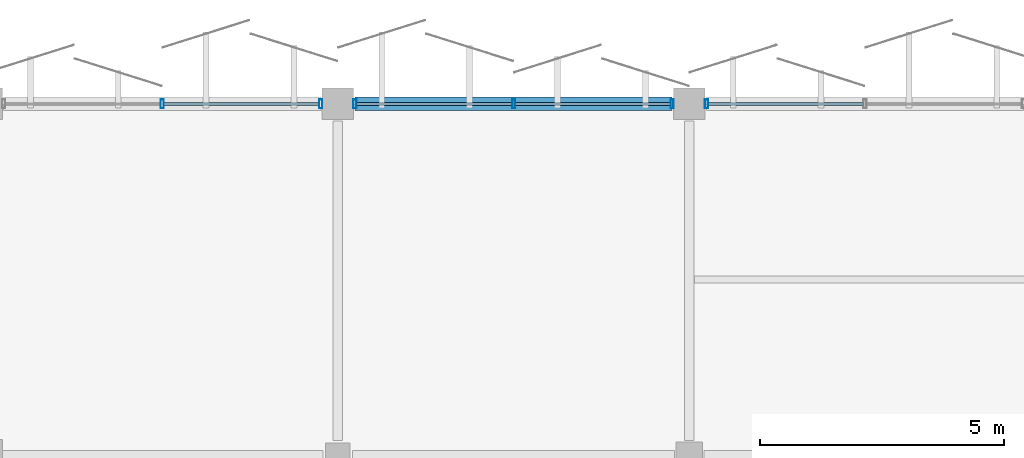
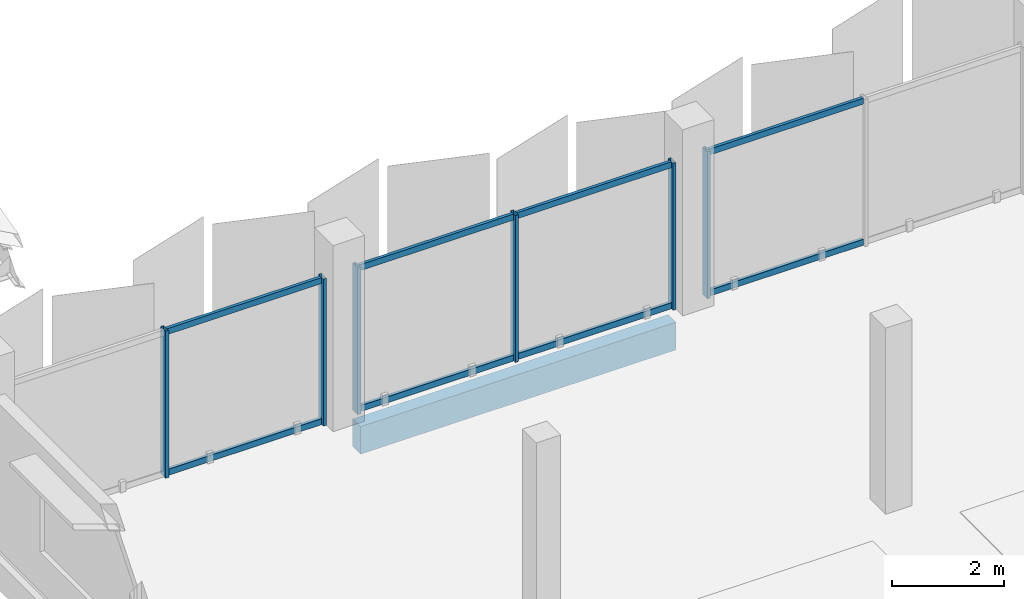
# One storey, part 39 of 108: 14 members, 1 beam, 3 elements without a shape of their own.
"""IFC4 building model written with IfcOpenShell, lengths in metres."""

from ifc_helpers import new_model, si_unit, direction, frame, origin, origin_2d, place, context, subcontext, project, spatial, rectangle, hollow_rectangle, extrude, material, layer, layer_set, material_profile, profile_set, type_object, element, aggregate, save


model = new_model("IFC4")

# Units and contexts
model_context = context("Model", 3, precision=1e-05, world=origin(), true_north=direction((0.0, 1.0)))
body_context = subcontext(model_context, "Body", "Model", "MODEL_VIEW")
ifc_project = project(units=[si_unit("LENGTHUNIT", "METRE"), si_unit("AREAUNIT", "SQUARE_METRE"), si_unit("VOLUMEUNIT", "CUBIC_METRE"), si_unit("PLANEANGLEUNIT", "RADIAN"), si_unit("MASSUNIT", "GRAM", prefix="KILO")], contexts=[model_context])

# Site, building, storey
site_placement = place(None, origin())
site = spatial("IfcSite", under=ifc_project, at=site_placement, CompositionType="ELEMENT")
building_placement = place(site_placement, origin())
building = spatial("IfcBuilding", under=site, at=building_placement, Name="Kangsadwip Square Police Headquarters", CompositionType="ELEMENT")
storey_placement = place(building_placement, frame((0.0, 0.0, 9.449951171875)))
storey = spatial("IfcBuildingStorey", under=building, at=storey_placement, Name="L02", CompositionType="ELEMENT", Elevation=9.449951171875)

# Curtain wall, members
ifc_material_1 = material(Name="Thermally broken anodised aluminium AW-6063-T6", Category="aluminium")
ifc_layer = layer(ifc_material_1, 0.159912109375)
ifc_layer_set = layer_set([ifc_layer], Name="Thermally broken anodised aluminium AW-6063-T6")
curtain_wall_type = type_object("IfcCurtainWallType", Name="UnitisedCw6560x3200", PredefinedType="NOTDEFINED", material=ifc_layer_set)
curtain_wall_1_placement = place(storey_placement, origin())
curtain_wall_1 = element("IfcCurtainWall", 1, at=curtain_wall_1_placement, inside=storey, type_object=curtain_wall_type, Name="Curtain Wall CW-L02-0939-1152", PredefinedType="NOTDEFINED")
ifc_material_2 = material(Name="Thermally broken anodised aluminium AW-6063-T6", Category="aluminium")
ifc_material_profile_1 = material_profile(ifc_material_2, hollow_rectangle(XDim=0.06494140625, YDim=0.179931640625, WallThickness=0.00390625, at=origin_2d()), Name="CWM 180X65X4")
ifc_profile_set_1 = profile_set([ifc_material_profile_1], Name="Thermally broken anodised aluminium AW-6063-T6")
member_type_1 = type_object("IfcMemberType", Name="CwMullion160x65", PredefinedType="MULLION", material=ifc_profile_set_1)
member_1_placement = place(storey_placement, frame((97.199951171875, 115.199951171875, 0.0), z_axis=(0.0, 0.0, 1.0), x_axis=(1.0, 0.0, 0.0)))
member_1 = element("IfcMember", 2, at=member_1_placement, type_object=member_type_1, Name="CW-20 mullion 2", PredefinedType="MULLION", context=body_context, shape_type="SweptSolid", body=[
    extrude(hollow_rectangle(XDim=0.06494140625, YDim=0.179931640625, WallThickness=0.00390625, at=origin_2d()), origin(), (0.0, 0.0, 1.0), 3.199951171875),
])
member_2_placement = place(storey_placement, frame((100.447509765625, 115.199951171875, 0.0), z_axis=(0.0, 0.0, 1.0), x_axis=(1.0, 0.0, 0.0)))
member_2 = element("IfcMember", 3, at=member_2_placement, type_object=member_type_1, Name="CW-20 mullion 3", PredefinedType="MULLION", context=body_context, shape_type="SweptSolid", body=[
    extrude(hollow_rectangle(XDim=0.06494140625, YDim=0.179931640625, WallThickness=0.00390625, at=origin_2d()), origin(), (0.0, 0.0, 1.0), 3.199951171875),
])

curtain_wall_2_placement = place(storey_placement, origin())
curtain_wall_2 = element("IfcCurtainWall", 4, at=curtain_wall_2_placement, inside=storey, type_object=curtain_wall_type, Name="Curtain Wall CW-L02-1011-1152", PredefinedType="NOTDEFINED")
member_3_placement = place(storey_placement, frame((101.152587890625, 115.199951171875, 0.0), z_axis=(0.0, 0.0, 1.0), x_axis=(1.0, 0.0, 0.0)))
member_3 = element("IfcMember", 5, at=member_3_placement, type_object=member_type_1, Name="CW-20 mullion 1", PredefinedType="MULLION", context=body_context, shape_type="SweptSolid", body=[
    extrude(hollow_rectangle(XDim=0.06494140625, YDim=0.179931640625, WallThickness=0.00390625, at=origin_2d()), origin(), (0.0, 0.0, 1.0), 3.199951171875),
])
member_4_placement = place(storey_placement, frame((104.39990234375, 115.199951171875, 0.0), z_axis=(0.0, 0.0, 1.0), x_axis=(1.0, 0.0, 0.0)))
member_4 = element("IfcMember", 6, at=member_4_placement, type_object=member_type_1, Name="CW-20 mullion 2", PredefinedType="MULLION", context=body_context, shape_type="SweptSolid", body=[
    extrude(hollow_rectangle(XDim=0.06494140625, YDim=0.179931640625, WallThickness=0.00390625, at=origin_2d()), origin(), (0.0, 0.0, 1.0), 3.199951171875),
])
member_5_placement = place(storey_placement, frame((107.6474609375, 115.199951171875, 0.0), z_axis=(0.0, 0.0, 1.0), x_axis=(1.0, 0.0, 0.0)))
member_5 = element("IfcMember", 7, at=member_5_placement, type_object=member_type_1, Name="CW-20 mullion 3", PredefinedType="MULLION", context=body_context, shape_type="SweptSolid", body=[
    extrude(hollow_rectangle(XDim=0.06494140625, YDim=0.179931640625, WallThickness=0.00390625, at=origin_2d()), origin(), (0.0, 0.0, 1.0), 3.199951171875),
])

# Curtain wall, member
curtain_wall_3_placement = place(storey_placement, origin())
curtain_wall_3 = element("IfcCurtainWall", 8, at=curtain_wall_3_placement, inside=storey, type_object=curtain_wall_type, Name="Curtain Wall CW-L02-1083-1152", PredefinedType="NOTDEFINED")
member_6_placement = place(storey_placement, frame((108.3525390625, 115.199951171875, 0.0), z_axis=(0.0, 0.0, 1.0), x_axis=(1.0, 0.0, 0.0)))
member_6 = element("IfcMember", 9, at=member_6_placement, type_object=member_type_1, Name="CW-20 mullion 1", PredefinedType="MULLION", context=body_context, shape_type="SweptSolid", body=[
    extrude(hollow_rectangle(XDim=0.06494140625, YDim=0.179931640625, WallThickness=0.00390625, at=origin_2d()), origin(), (0.0, 0.0, 1.0), 3.199951171875),
])

# Member
ifc_material_3 = material(Name="Thermally broken anodised aluminium AW-6063-T6", Category="aluminium")
ifc_material_profile_2 = material_profile(ifc_material_3, hollow_rectangle(XDim=0.06494140625, YDim=0.1298828125, WallThickness=0.00390625, at=origin_2d()), Name="CWT 130X65X4")
ifc_profile_set_2 = profile_set([ifc_material_profile_2], Name="Thermally broken anodised aluminium AW-6063-T6")
member_type_2 = type_object("IfcMemberType", Name="CwTransom140x60", PredefinedType="USERDEFINED", material=ifc_profile_set_2)
member_7_placement = place(storey_placement, frame((97.232421875, 115.199951171875, 0.06494140625), z_axis=(1.0, 0.0, 0.0), x_axis=(0.0, 1.0, 0.0)))
member_7 = element("IfcMember", 10, at=member_7_placement, type_object=member_type_2, Name="CW-20 transom 2.1", ObjectType="TRANSOM", PredefinedType="USERDEFINED", context=body_context, shape_type="SweptSolid", body=[
    extrude(hollow_rectangle(XDim=0.06494140625, YDim=0.1298828125, WallThickness=0.00390625, at=origin_2d()), origin(), (0.0, 0.0, 1.0), 3.1826171875),
])

member_8_placement = place(storey_placement, frame((97.232421875, 115.199951171875, 3.135009765625), z_axis=(1.0, 0.0, 0.0), x_axis=(0.0, 1.0, 0.0)))
member_8 = element("IfcMember", 11, at=member_8_placement, type_object=member_type_2, Name="CW-20 transom 2.2", ObjectType="TRANSOM", PredefinedType="USERDEFINED", context=body_context, shape_type="SweptSolid", body=[
    extrude(hollow_rectangle(XDim=0.06494140625, YDim=0.1298828125, WallThickness=0.00390625, at=origin_2d()), origin(), (0.0, 0.0, 1.0), 3.1826171875),
])

aggregate(curtain_wall_1, [member_1, member_2, member_7, member_8])

member_9_placement = place(storey_placement, frame((101.18505859375, 115.199951171875, 0.06494140625), z_axis=(1.0, 0.0, 0.0), x_axis=(0.0, 1.0, 0.0)))
member_9 = element("IfcMember", 12, at=member_9_placement, type_object=member_type_2, Name="CW-20 transom 1.1", ObjectType="TRANSOM", PredefinedType="USERDEFINED", context=body_context, shape_type="SweptSolid", body=[
    extrude(hollow_rectangle(XDim=0.06494140625, YDim=0.1298828125, WallThickness=0.00390625, at=origin_2d()), origin(), (0.0, 0.0, 1.0), 3.182373046875),
])

member_10_placement = place(storey_placement, frame((101.18505859375, 115.199951171875, 3.135009765625), z_axis=(1.0, 0.0, 0.0), x_axis=(0.0, 1.0, 0.0)))
member_10 = element("IfcMember", 13, at=member_10_placement, type_object=member_type_2, Name="CW-20 transom 1.2", ObjectType="TRANSOM", PredefinedType="USERDEFINED", context=body_context, shape_type="SweptSolid", body=[
    extrude(hollow_rectangle(XDim=0.06494140625, YDim=0.1298828125, WallThickness=0.00390625, at=origin_2d()), origin(), (0.0, 0.0, 1.0), 3.182373046875),
])

member_11_placement = place(storey_placement, frame((104.4326171875, 115.199951171875, 0.06494140625), z_axis=(1.0, 0.0, 0.0), x_axis=(0.0, 1.0, 0.0)))
member_11 = element("IfcMember", 14, at=member_11_placement, type_object=member_type_2, Name="CW-20 transom 2.1", ObjectType="TRANSOM", PredefinedType="USERDEFINED", context=body_context, shape_type="SweptSolid", body=[
    extrude(hollow_rectangle(XDim=0.06494140625, YDim=0.1298828125, WallThickness=0.00390625, at=origin_2d()), origin(), (0.0, 0.0, 1.0), 3.182373046875),
])

member_12_placement = place(storey_placement, frame((104.4326171875, 115.199951171875, 3.135009765625), z_axis=(1.0, 0.0, 0.0), x_axis=(0.0, 1.0, 0.0)))
member_12 = element("IfcMember", 15, at=member_12_placement, type_object=member_type_2, Name="CW-20 transom 2.2", ObjectType="TRANSOM", PredefinedType="USERDEFINED", context=body_context, shape_type="SweptSolid", body=[
    extrude(hollow_rectangle(XDim=0.06494140625, YDim=0.1298828125, WallThickness=0.00390625, at=origin_2d()), origin(), (0.0, 0.0, 1.0), 3.182373046875),
])

aggregate(curtain_wall_2, [member_3, member_4, member_5, member_9, member_10, member_11, member_12])

member_13_placement = place(storey_placement, frame((108.385009765625, 115.199951171875, 0.06494140625), z_axis=(1.0, 0.0, 0.0), x_axis=(0.0, 1.0, 0.0)))
member_13 = element("IfcMember", 16, at=member_13_placement, type_object=member_type_2, Name="CW-20 transom 1.1", ObjectType="TRANSOM", PredefinedType="USERDEFINED", context=body_context, shape_type="SweptSolid", body=[
    extrude(hollow_rectangle(XDim=0.06494140625, YDim=0.1298828125, WallThickness=0.00390625, at=origin_2d()), origin(), (0.0, 0.0, 1.0), 3.182373046875),
])

member_14_placement = place(storey_placement, frame((108.385009765625, 115.199951171875, 3.135009765625), z_axis=(1.0, 0.0, 0.0), x_axis=(0.0, 1.0, 0.0)))
member_14 = element("IfcMember", 17, at=member_14_placement, type_object=member_type_2, Name="CW-20 transom 1.2", ObjectType="TRANSOM", PredefinedType="USERDEFINED", context=body_context, shape_type="SweptSolid", body=[
    extrude(hollow_rectangle(XDim=0.06494140625, YDim=0.1298828125, WallThickness=0.00390625, at=origin_2d()), origin(), (0.0, 0.0, 1.0), 3.182373046875),
])

aggregate(curtain_wall_3, [member_6, member_13, member_14])

# Beam
ifc_material_4 = material(Name="Concrete M40 (40 MPa)", Category="concrete")
ifc_material_profile_3 = material_profile(ifc_material_4, rectangle(XDim=0.280029296875, YDim=0.60009765625, at=origin_2d()), Name="RC SPN 600X280")
ifc_profile_set_3 = profile_set([ifc_material_profile_3], Name="Concrete M40 (40 MPa)")
beam_type = type_object("IfcBeamType", Name="RcSpandrel600x280", PredefinedType="SPANDREL", material=ifc_profile_set_3)
beam_placement = place(storey_placement, frame((101.14990234375, 115.199951171875, -0.5400390625), z_axis=(1.0, 0.0, 0.0), x_axis=(0.0, 1.0, 0.0)))
element("IfcBeam", 18, at=beam_placement, inside=storey, type_object=beam_type, Name="Beam BM-L02-X-14-16", PredefinedType="SPANDREL", context=body_context, shape_type="SweptSolid", body=[
    extrude(rectangle(XDim=0.280029296875, YDim=0.60009765625, at=origin_2d()), origin(), (0.0, 0.0, 1.0), 6.5),
])

save(model, "model.ifc")
